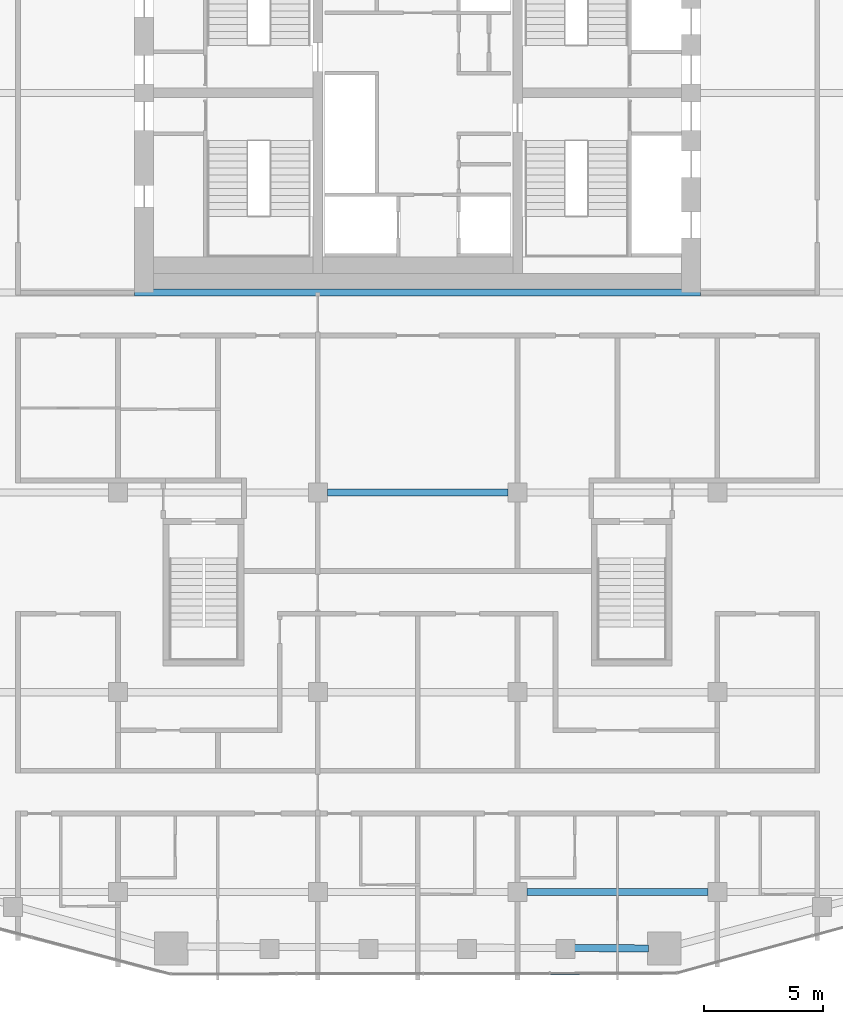
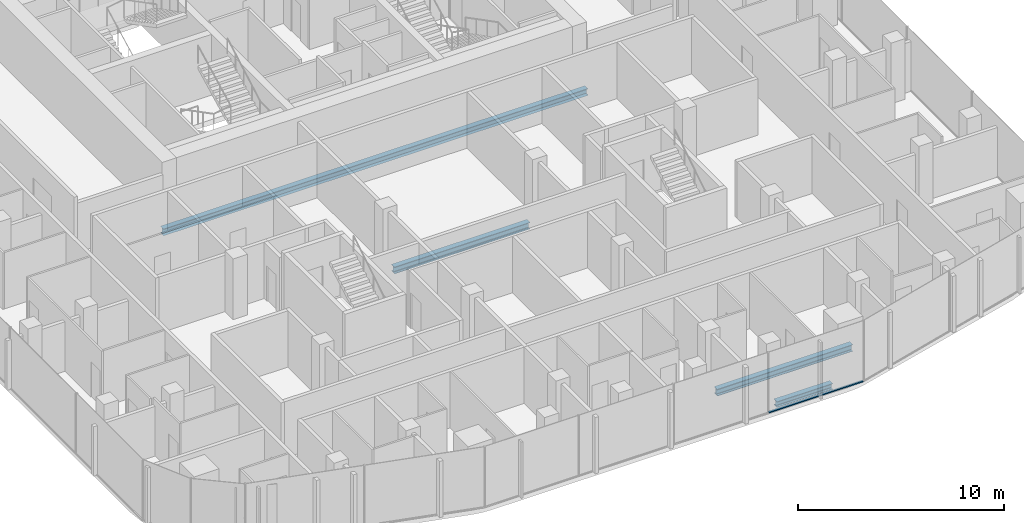
# One storey, part 5 of 22: 4 beams, 1 member, 1 element without a shape of its own.
"""IFC4 building model written with IfcOpenShell, lengths in metres."""

from ifc_helpers import new_model, si_unit, direction, frame, origin, origin_2d, place, context, subcontext, project, spatial, rectangle, i_section, extrude, material, layer, layer_set, material_profile, profile_set, type_object, element, aggregate, save


model = new_model("IFC4")

# Units and contexts
model_context = context("Model", 3, precision=1e-05, world=origin(), true_north=direction((0.0, 1.0)))
body_context = subcontext(model_context, "Body", "Model", "MODEL_VIEW")
ifc_project = project(units=[si_unit("LENGTHUNIT", "METRE"), si_unit("AREAUNIT", "SQUARE_METRE"), si_unit("VOLUMEUNIT", "CUBIC_METRE"), si_unit("PLANEANGLEUNIT", "RADIAN"), si_unit("MASSUNIT", "GRAM", prefix="KILO")], contexts=[model_context])

# Site, building, storey
site_placement = place(None, origin())
site = spatial("IfcSite", under=ifc_project, at=site_placement, CompositionType="ELEMENT")
building_placement = place(site_placement, origin())
building = spatial("IfcBuilding", under=site, at=building_placement, Name="Marenta Gate Hotel Tower", CompositionType="ELEMENT")
storey_placement = place(building_placement, frame((0.0, 0.0, 230.89990234375)))
storey = spatial("IfcBuildingStorey", under=building, at=storey_placement, Name="L54", CompositionType="ELEMENT", Elevation=230.89990234375)

# Beams
ifc_material_1 = material(Name="Steel S355", Category="steel")
ifc_material_profile_1 = material_profile(ifc_material_1, i_section(OverallWidth=0.300048828125, OverallDepth=0.340087890625, WebThickness=0.011962890625, FlangeThickness=0.021484375, FilletRadius=0.027099609375, at=origin_2d()), Name="HEB 340")
ifc_profile_set_1 = profile_set([ifc_material_profile_1], Name="Steel S355")
beam_type_1 = type_object("IfcBeamType", Name="Edge beam HEB 340", PredefinedType="SPANDREL", material=ifc_profile_set_1)
beam_1_placement = place(storey_placement, frame((9.706298828125, -27.570068359375, -0.429931640625), z_axis=(-0.999992678531, 0.003826602206, 0.0), x_axis=(-0.003826602206, -0.999992678531, 0.0)))
element("IfcBeam", 1, at=beam_1_placement, inside=storey, type_object=beam_type_1, Name="L54-EB-32", PredefinedType="SPANDREL", context=body_context, shape_type="SweptSolid", body=[
    extrude(i_section(OverallWidth=0.300048828125, OverallDepth=0.340087890625, WebThickness=0.011962890625, FlangeThickness=0.021484375, FilletRadius=0.027099609375, at=origin_2d()), origin(), (0.0, 0.0, 1.0), 3.126220703125),
])
ifc_material_2 = material(Name="Steel S355", Category="steel")
ifc_material_profile_2 = material_profile(ifc_material_2, i_section(OverallWidth=0.300048828125, OverallDepth=0.39990234375, WebThickness=0.013427734375, FlangeThickness=0.02392578125, FilletRadius=0.027099609375, at=origin_2d()), Name="HEB 400")
ifc_profile_set_2 = profile_set([ifc_material_profile_2], Name="Steel S355")
beam_type_2 = type_object("IfcBeamType", Name="Girder HEB 400", PredefinedType="BEAM", material=ifc_profile_set_2)
beam_2_placement = place(storey_placement, frame((4.60009765625, -25.199951171875, -0.4599609375), z_axis=(1.0, 0.0, 0.0), x_axis=(0.0, 1.0, 0.0)))
element("IfcBeam", 2, at=beam_2_placement, inside=storey, type_object=beam_type_2, Name="L54-GD-4", PredefinedType="BEAM", context=body_context, shape_type="SweptSolid", body=[
    extrude(i_section(OverallWidth=0.300048828125, OverallDepth=0.39990234375, WebThickness=0.013427734375, FlangeThickness=0.02392578125, FilletRadius=0.027099609375, at=origin_2d()), origin(), (0.0, 0.0, 1.0), 7.599853515625),
])
beam_3_placement = place(storey_placement, frame((-3.800048828125, -8.39990234375, -0.4599609375), z_axis=(1.0, 0.0, 0.0), x_axis=(0.0, 1.0, 0.0)))
element("IfcBeam", 3, at=beam_3_placement, inside=storey, type_object=beam_type_2, Name="L54-GD-16", PredefinedType="BEAM", context=body_context, shape_type="SweptSolid", body=[
    extrude(i_section(OverallWidth=0.300048828125, OverallDepth=0.39990234375, WebThickness=0.013427734375, FlangeThickness=0.02392578125, FilletRadius=0.027099609375, at=origin_2d()), origin(), (0.0, 0.0, 1.0), 7.60009765625),
])
beam_4_placement = place(storey_placement, frame((-11.89990234375, 0.0, -0.4599609375), z_axis=(1.0, 0.0, 0.0), x_axis=(0.0, 1.0, 0.0)))
element("IfcBeam", 4, at=beam_4_placement, inside=storey, type_object=beam_type_2, Name="L54-GD-22", PredefinedType="BEAM", context=body_context, shape_type="SweptSolid", body=[
    extrude(i_section(OverallWidth=0.300048828125, OverallDepth=0.39990234375, WebThickness=0.013427734375, FlangeThickness=0.02392578125, FilletRadius=0.027099609375, at=origin_2d()), origin(), (0.0, 0.0, 1.0), 23.7998046875),
])

# Curtain wall, member
ifc_material_3 = material(Name="Tinted insulated glass in bronze anodised frame", Category="glass")
ifc_layer = layer(ifc_material_3, 0.1201171875)
ifc_layer_set = layer_set([ifc_layer], Name="Tinted insulated glass in bronze anodised frame")
curtain_wall_type = type_object("IfcCurtainWallType", Name="Tower unitised curtain wall CW1", PredefinedType="NOTDEFINED", material=ifc_layer_set)
curtain_wall_placement = place(storey_placement, origin())
curtain_wall = element("IfcCurtainWall", 5, at=curtain_wall_placement, inside=storey, type_object=curtain_wall_type, Name="CW1 run G07", PredefinedType="NOTDEFINED")
ifc_material_4 = material(Name="Bronze anodised aluminium", Category="aluminium")
ifc_material_profile_3 = material_profile(ifc_material_4, rectangle(XDim=0.1201171875, YDim=0.06005859375, at=origin_2d()), Name="Transom CW1 60x120 bronze anodised aluminium")
ifc_profile_set_3 = profile_set([ifc_material_profile_3], Name="Bronze anodised aluminium")
member_type = type_object("IfcMemberType", Name="Transom CW1 60x120 bronze anodised aluminium", PredefinedType="USERDEFINED", material=ifc_profile_set_3)
member_placement = place(storey_placement, frame((5.583740234375, -28.62109375, 0.030029296875), z_axis=(0.999998695429, 0.001615283106, 0.0), x_axis=(-0.001615283106, 0.999998695429, 0.0)))
member = element("IfcMember", 6, at=member_placement, type_object=member_type, Name="CW1 transom 4.1", ObjectType="TRANSOM", PredefinedType="USERDEFINED", context=body_context, shape_type="SweptSolid", body=[
    extrude(rectangle(XDim=0.1201171875, YDim=0.06005859375, at=origin_2d()), origin(), (0.0, 0.0, 1.0), 5.2900390625),
])
aggregate(curtain_wall, [member])

save(model, "model.ifc")
